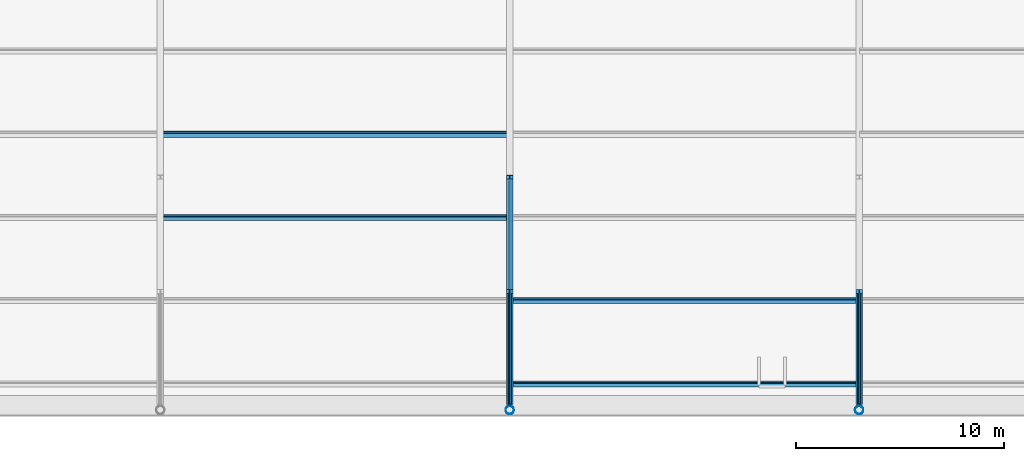
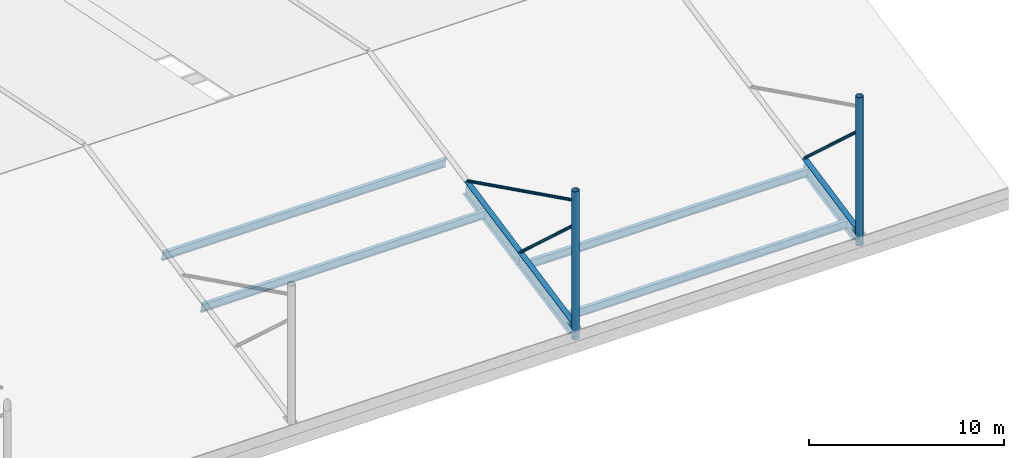
# One storey, part 3 of 8: 9 members, 3 beams.
"""IFC4 building model written with IfcOpenShell, lengths in metres."""

from ifc_helpers import new_model, si_unit, direction, frame, origin, origin_2d, place, context, subcontext, project, spatial, hollow_circle, i_section, extrude, material, material_profile, profile_set, type_object, element, save


model = new_model("IFC4")

# Units and contexts
model_context = context("Model", 3, precision=1e-05, world=origin(), true_north=direction((0.0, 1.0)))
body_context = subcontext(model_context, "Body", "Model", "MODEL_VIEW")
ifc_project = project(units=[si_unit("LENGTHUNIT", "METRE"), si_unit("AREAUNIT", "SQUARE_METRE"), si_unit("VOLUMEUNIT", "CUBIC_METRE"), si_unit("PLANEANGLEUNIT", "RADIAN"), si_unit("MASSUNIT", "GRAM", prefix="KILO")], contexts=[model_context])

# Site, building, storey
site_placement = place(None, origin())
site = spatial("IfcSite", under=ifc_project, at=site_placement, CompositionType="ELEMENT")
building_placement = place(site_placement, origin())
building = spatial("IfcBuilding", under=site, at=building_placement, Name="Ljudholm Concert House", CompositionType="ELEMENT")
storey_placement = place(building_placement, frame((0.0, 0.0, 22.800048828125)))
storey = spatial("IfcBuildingStorey", under=building, at=storey_placement, Name="ROOF", CompositionType="ELEMENT", Elevation=22.800048828125)

# Beams
ifc_material_1 = material(Name="Steel ASTM A992", Category="steel")
ifc_material_profile_1 = material_profile(ifc_material_1, i_section(OverallWidth=0.3046875, OverallDepth=0.904296875, WebThickness=0.01513671875, FlangeThickness=0.02001953125, FilletRadius=0.01904296875, at=origin_2d()), Name="W36X135")
ifc_profile_set_1 = profile_set([ifc_material_profile_1], Name="Steel ASTM A992")
beam_type = type_object("IfcBeamType", Name="STEEL BEAM W36X135 BEAM", PredefinedType="BEAM", material=ifc_profile_set_1)
beam_1_placement = place(storey_placement, frame((71.199951171875, 54.550048828125, 1.14306640625), z_axis=(0.0, 0.979926890772, 0.19935718884), x_axis=(-1.0, 0.0, 0.0)))
element("IfcBeam", 1, at=beam_1_placement, inside=storey, type_object=beam_type, Name="Roof girder G3", PredefinedType="BEAM", context=body_context, shape_type="SweptSolid", body=[
    extrude(i_section(OverallWidth=0.3046875, OverallDepth=0.904296875, WebThickness=0.01513671875, FlangeThickness=0.02001953125, FilletRadius=0.01904296875, at=origin_2d()), origin(), (0.0, 0.0, 1.0), 5.45947265625),
])
beam_2_placement = place(storey_placement, frame((71.199951171875, 59.89990234375, 2.2314453125), z_axis=(0.0, 0.979927877682, 0.199352337687), x_axis=(-1.0, 0.0, 0.0)))
element("IfcBeam", 2, at=beam_2_placement, inside=storey, type_object=beam_type, Name="Roof girder G3", PredefinedType="BEAM", context=body_context, shape_type="SweptSolid", body=[
    extrude(i_section(OverallWidth=0.3046875, OverallDepth=0.904296875, WebThickness=0.01513671875, FlangeThickness=0.02001953125, FilletRadius=0.01904296875, at=origin_2d()), origin(), (0.0, 0.0, 1.0), 5.612548828125),
])
beam_3_placement = place(storey_placement, frame((88.0, 54.550048828125, 1.14306640625), z_axis=(0.0, 0.979926890772, 0.19935718884), x_axis=(-1.0, 0.0, 0.0)))
element("IfcBeam", 3, at=beam_3_placement, inside=storey, type_object=beam_type, Name="Roof girder G4", PredefinedType="BEAM", context=body_context, shape_type="SweptSolid", body=[
    extrude(i_section(OverallWidth=0.3046875, OverallDepth=0.904296875, WebThickness=0.01513671875, FlangeThickness=0.02001953125, FilletRadius=0.01904296875, at=origin_2d()), origin(), (0.0, 0.0, 1.0), 5.45947265625),
])

# Members
ifc_material_2 = material(Name="Concrete-filled steel tube (Steel ASTM A500 Gr. C, fill Concrete 6,500 psi)", Category="concrete")
ifc_material_profile_2 = material_profile(ifc_material_2, hollow_circle(Radius=0.203125, WallThickness=0.01171875, at=origin_2d()), Name="HSS16.000X0.500")
ifc_profile_set_2 = profile_set([ifc_material_profile_2], Name="Concrete-filled steel tube (Steel ASTM A500 Gr. C, fill Concrete 6,500 psi)")
member_type_1 = type_object("IfcMemberType", Name="STEEL MEMBER HSS16.000X0.500 POST", PredefinedType="POST", material=ifc_profile_set_2)
for number, where, z_axis, x_axis, name in (
    (4, (71.199951171875, 54.199951171875, 0.699951171875), (0.0, 0.0, 1.0), (1.0, 0.0, 0.0), "Roof mast S3"),
    (5, (88.0, 54.199951171875, 0.699951171875), (0.0, 0.0, 1.0), (1.0, 0.0, 0.0), "Roof mast S4"),
):
    element("IfcMember", number, at=place(storey_placement, frame(where, z_axis=z_axis, x_axis=x_axis)), inside=storey, type_object=member_type_1, Name=name, PredefinedType="POST", context=body_context, shape_type="SweptSolid", body=[
        extrude(hollow_circle(Radius=0.203125, WallThickness=0.01171875, at=origin_2d()), origin(), (0.0, 0.0, 1.0), 9.27490234375),
    ])
ifc_material_3 = material(Name="Steel ASTM A500 Gr. C", Category="steel")
ifc_material_profile_3 = material_profile(ifc_material_3, hollow_circle(Radius=0.084228515625, WallThickness=0.006591796875, at=origin_2d()), Name="HSS6.625X0.280")
ifc_profile_set_3 = profile_set([ifc_material_profile_3], Name="Steel ASTM A500 Gr. C")
member_type_2 = type_object("IfcMemberType", Name="STEEL MEMBER HSS6.625X0.280 BRACE", PredefinedType="BRACE", material=ifc_profile_set_3)
member_1_placement = place(storey_placement, frame((71.199951171875, 54.4599609375, 7.5625), z_axis=(0.0, 0.738258890166, -0.674517465371), x_axis=(-1.0, 0.0, 0.0)))
element("IfcMember", 6, at=member_1_placement, inside=storey, type_object=member_type_2, Name="Roof stay S3.1", PredefinedType="BRACE", context=body_context, shape_type="SweptSolid", body=[
    extrude(hollow_circle(Radius=0.084228515625, WallThickness=0.006591796875, at=origin_2d()), origin(), (0.0, 0.0, 1.0), 7.185302734375),
])
member_2_placement = place(storey_placement, frame((71.199951171875, 54.440673828125, 9.1806640625), z_axis=(0.0, 0.895985327461, -0.444083655378), x_axis=(-1.0, 0.0, 0.0)))
element("IfcMember", 7, at=member_2_placement, inside=storey, type_object=member_type_2, Name="Roof stay S3.2", PredefinedType="BRACE", context=body_context, shape_type="SweptSolid", body=[
    extrude(hollow_circle(Radius=0.084228515625, WallThickness=0.006591796875, at=origin_2d()), origin(), (0.0, 0.0, 1.0), 12.022705078125),
])
member_3_placement = place(storey_placement, frame((88.0, 54.4599609375, 7.5625), z_axis=(0.0, 0.738258890166, -0.674517465371), x_axis=(-1.0, 0.0, 0.0)))
element("IfcMember", 8, at=member_3_placement, inside=storey, type_object=member_type_2, Name="Roof stay S4.1", PredefinedType="BRACE", context=body_context, shape_type="SweptSolid", body=[
    extrude(hollow_circle(Radius=0.084228515625, WallThickness=0.006591796875, at=origin_2d()), origin(), (0.0, 0.0, 1.0), 7.185302734375),
])
ifc_material_4 = material(Name="Steel ASTM A992", Category="steel")
ifc_material_profile_4 = material_profile(ifc_material_4, i_section(OverallWidth=0.177978515625, OverallDepth=0.599365234375, WebThickness=0.010009765625, FlangeThickness=0.012939453125, FilletRadius=0.012939453125, at=origin_2d()), Name="W24X55")
ifc_profile_set_4 = profile_set([ifc_material_profile_4], Name="Steel ASTM A992")
member_type_3 = type_object("IfcMemberType", Name="STEEL MEMBER W24X55 PURLIN", PredefinedType="PURLIN", material=ifc_profile_set_4)
for number, where, z_axis, x_axis, name in (
    (9, (54.40771484375, 63.459716796875, 2.861328125), (1.0, 0.0, 0.0), (0.0, 0.979924704621, 0.199367934417), "Purlin"),
    (10, (54.40771484375, 67.459716796875, 3.675048828125), (1.0, 0.0, 0.0), (0.0, 0.979924704621, 0.199367934417), "Purlin"),
):
    element("IfcMember", number, at=place(storey_placement, frame(where, z_axis=z_axis, x_axis=x_axis)), inside=storey, type_object=member_type_3, Name=name, PredefinedType="PURLIN", context=body_context, shape_type="SweptSolid", body=[
        extrude(i_section(OverallWidth=0.177978515625, OverallDepth=0.599365234375, WebThickness=0.010009765625, FlangeThickness=0.012939453125, FilletRadius=0.012939453125, at=origin_2d()), origin(), (0.0, 0.0, 1.0), 16.78466796875),
    ])
for number, where, z_axis, x_axis, name in (
    (11, (71.20751953125, 55.459716796875, 1.233642578125), (1.0, 0.0, 0.0), (0.0, 0.979924704621, 0.199367934417), "Purlin"),
    (12, (71.20751953125, 59.459716796875, 2.04736328125), (1.0, 0.0, 0.0), (0.0, 0.979924704621, 0.199367934417), "Purlin"),
):
    element("IfcMember", number, at=place(storey_placement, frame(where, z_axis=z_axis, x_axis=x_axis)), inside=storey, type_object=member_type_3, Name=name, PredefinedType="PURLIN", context=body_context, shape_type="SweptSolid", body=[
        extrude(i_section(OverallWidth=0.177978515625, OverallDepth=0.599365234375, WebThickness=0.010009765625, FlangeThickness=0.012939453125, FilletRadius=0.012939453125, at=origin_2d()), origin(), (0.0, 0.0, 1.0), 16.784912109375),
    ])

save(model, "model.ifc")
